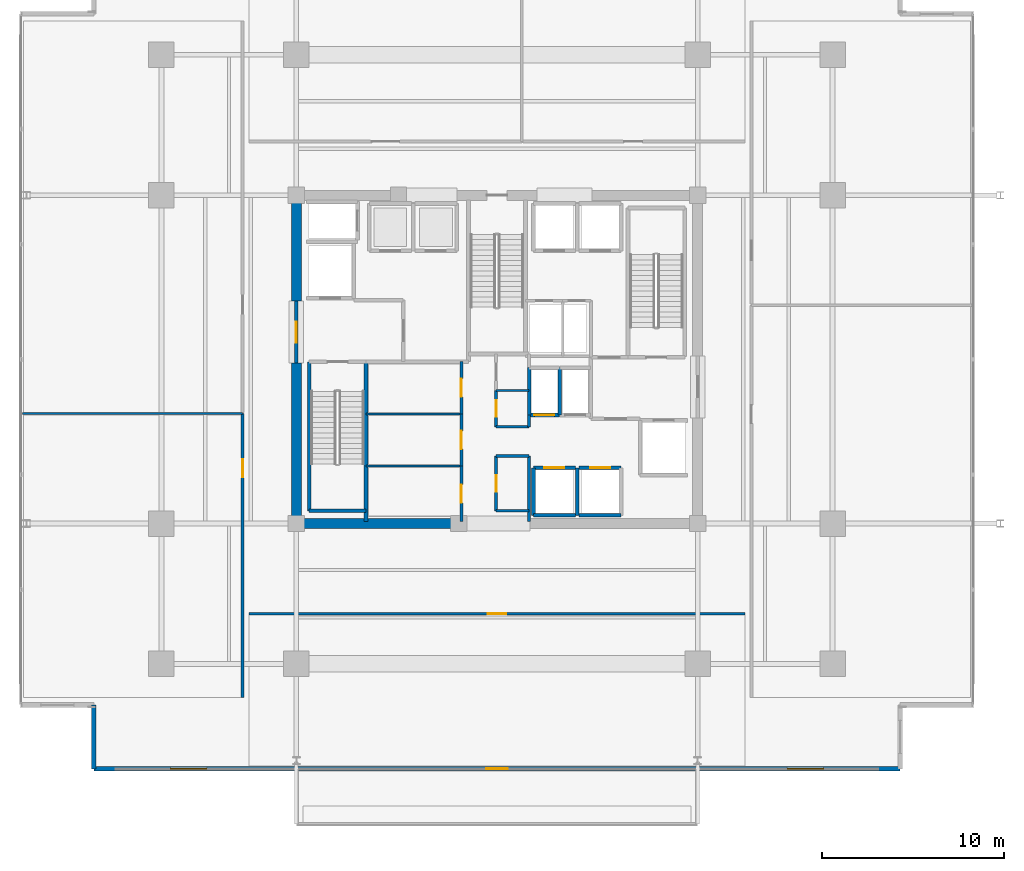
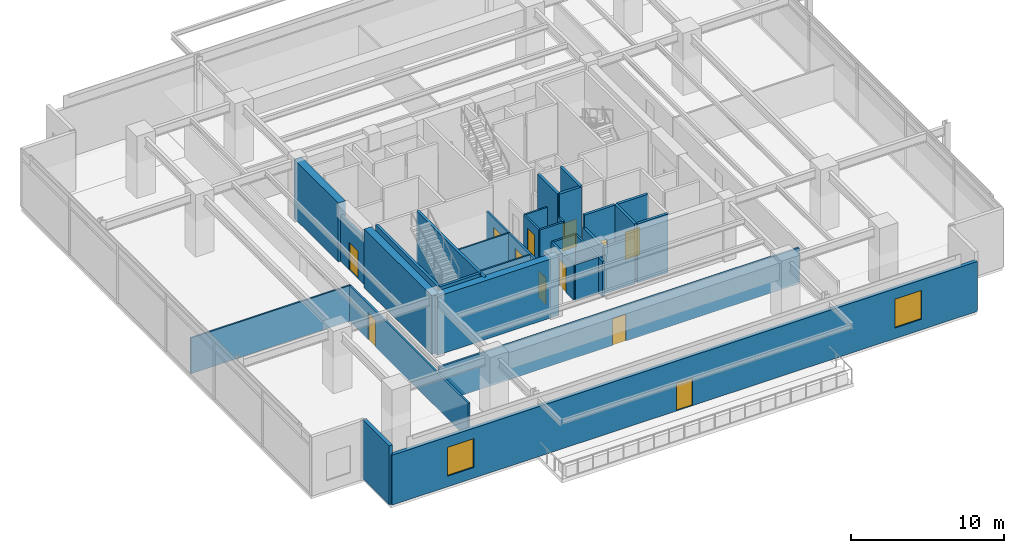
# One storey, part 16 of 25: 34 walls, 12 doors, 2 windows, 14 openings.
"""IFC4 building model written with IfcOpenShell, lengths in metres."""

from ifc_helpers import new_model, si_unit, direction, frame, frame_2d, origin, place, context, subcontext, project, spatial, rectangle, extrude, material, layer, layer_set, type_object, element, fill, save


model = new_model("IFC4")

# Units and contexts
model_context = context("Model", 3, precision=1e-05, world=origin(), true_north=direction((0.0, 1.0)))
body_context = subcontext(model_context, "Body", "Model", "MODEL_VIEW")
ifc_project = project(units=[si_unit("LENGTHUNIT", "METRE"), si_unit("AREAUNIT", "SQUARE_METRE"), si_unit("VOLUMEUNIT", "CUBIC_METRE"), si_unit("PLANEANGLEUNIT", "RADIAN"), si_unit("MASSUNIT", "GRAM", prefix="KILO")], contexts=[model_context])

# Site, building, storey
site_placement = place(None, origin())
site = spatial("IfcSite", under=ifc_project, at=site_placement, CompositionType="ELEMENT")
building_placement = place(site_placement, origin())
building = spatial("IfcBuilding", under=site, at=building_placement, Name="Kovane Verandah Tower", CompositionType="ELEMENT")
storey_placement = place(building_placement, frame((0.0, 0.0, 233.199951171875)))
storey = spatial("IfcBuildingStorey", under=building, at=storey_placement, Name="L54", CompositionType="ELEMENT", Elevation=233.199951171875)

# Walls
ifc_material_1 = material(Name="Fire-Rated Gypsum Stud Partition", Category="gypsum")
ifc_layer_1 = layer(ifc_material_1, 0.14990234375)
ifc_layer_set_1 = layer_set([ifc_layer_1], Name="Fire-Rated Gypsum Stud Partition")
wall_type_1 = type_object("IfcWallType", Name="WL-COR-150", PredefinedType="PARTITIONING", material=ifc_layer_set_1)
for number, where, z_axis, x_axis, name in (
    (1, (39.949951171875, 19.199951171875, 0.0), (0.0, 0.0, 1.0), (1.0, 0.0, 0.0), "L54 Central Core Strip South Wall"),
    (2, (39.949951171875, 22.199951171875, 0.0), (0.0, 0.0, 1.0), (1.0, 0.0, 0.0), "L54 Core Cross-Passage South Wall"),
    (3, (39.949951171875, 23.800048828125, 0.0), (0.0, 0.0, 1.0), (1.0, 0.0, 0.0), "L54 Core Cross-Passage North Wall"),
):
    element("IfcWall", number, at=place(storey_placement, frame(where, z_axis=z_axis, x_axis=x_axis)), inside=storey, type_object=wall_type_1, Name=name, PredefinedType="PARTITIONING", context=body_context, shape_type="SweptSolid", body=[
        extrude(rectangle(XDim=1.81005859375, YDim=0.14990234375, at=frame_2d((0.905029296875, 0.0))), origin(), (0.0, 0.0, 1.0), 2.85009765625),
    ])
wall_1_placement = place(storey_placement, frame((41.760009765625, 18.60009765625, 0.0), z_axis=(0.0, 0.0, 1.0), x_axis=(0.0, 1.0, 0.0)))
element("IfcWall", 4, at=wall_1_placement, inside=storey, type_object=wall_type_1, Name="L54 Central Core Strip Lower East Wall", PredefinedType="PARTITIONING", context=body_context, shape_type="SweptSolid", body=[
    extrude(rectangle(XDim=3.599853515625, YDim=0.14990234375, at=frame_2d((1.7998046875, 0.0))), origin(), (0.0, 0.0, 1.0), 2.85009765625),
])
wall_2_placement = place(storey_placement, frame((41.760009765625, 23.800048828125, 0.0), z_axis=(0.0, 0.0, 1.0), x_axis=(0.0, 1.0, 0.0)))
element("IfcWall", 5, at=wall_2_placement, inside=storey, type_object=wall_type_1, Name="L54 Central Core Strip Middle East Wall", PredefinedType="PARTITIONING", context=body_context, shape_type="SweptSolid", body=[
    extrude(rectangle(XDim=0.64990234375, YDim=0.14990234375, at=frame_2d((0.324951171875, 0.0))), origin(), (0.0, 0.0, 1.0), 2.85009765625),
])

# Wall, opening, door
wall_3_placement = place(storey_placement, frame((39.949951171875, 19.199951171875, 0.0), z_axis=(0.0, 0.0, 1.0), x_axis=(0.0, 1.0, 0.0)))
wall_3 = element("IfcWall", 6, at=wall_3_placement, inside=storey, type_object=wall_type_1, Name="L54 Male Toilet Partition", PredefinedType="PARTITIONING", context=body_context, shape_type="SweptSolid", body=[
    extrude(rectangle(XDim=3.0, YDim=0.14990234375, at=frame_2d((1.5, 0.0))), origin(), (0.0, 0.0, 1.0), 2.85009765625),
])
opening_1_placement = place(wall_3_placement, frame((1.050048828125, 0.0, 0.0)))
opening_1 = element("IfcOpeningElement", 7, at=opening_1_placement, cuts=wall_3, Name="Opening DR-L54-023", PredefinedType="OPENING", context=body_context, shape_type="SweptSolid", body=[
    extrude(rectangle(XDim=0.89990234375, YDim=2.10009765625, at=frame_2d((0.449951171875, 1.050048828125))), frame((0.0, 0.074951171875, 0.0), z_axis=(0.0, -1.0, 0.0), x_axis=(1.0, 0.0, 0.0)), (0.0, 0.0, 1.0), 0.14990234375),
])
ifc_material_2 = material(Name="Moisture-Resistant Laminate Washroom Door", Category="wood")
door_type_1 = type_object("IfcDoorType", Name="DR-WC-900", OperationType="SINGLE_SWING_LEFT", PredefinedType="DOOR", material=ifc_material_2)
door_1_placement = place(opening_1_placement, origin())
door_1 = element("IfcDoor", 8, at=door_1_placement, inside=storey, type_object=door_type_1, Name="L54 Male Toilet Door", OperationType="SINGLE_SWING_RIGHT", OverallHeight=2.10009765625, OverallWidth=0.89990234375, PredefinedType="DOOR", context=body_context, shape_type="SweptSolid", body=[
    extrude(rectangle(XDim=0.89990234375, YDim=2.10009765625, at=frame_2d((0.449951171875, 1.050048828125))), frame((0.0, 0.02490234375, 0.0), z_axis=(0.0, -1.0, 0.0), x_axis=(1.0, 0.0, 0.0)), (0.0, 0.0, 1.0), 0.050048828125),
])
fill(opening_1, door_1)

wall_4_placement = place(storey_placement, frame((39.949951171875, 23.800048828125, 0.0), z_axis=(0.0, 0.0, 1.0), x_axis=(0.0, 1.0, 0.0)))
wall_4 = element("IfcWall", 9, at=wall_4_placement, inside=storey, type_object=wall_type_1, Name="L54 Female Toilet Partition", PredefinedType="PARTITIONING", context=body_context, shape_type="SweptSolid", body=[
    extrude(rectangle(XDim=2.0, YDim=0.14990234375, at=frame_2d((1.0, 0.0))), origin(), (0.0, 0.0, 1.0), 2.85009765625),
])
opening_2_placement = place(wall_4_placement, frame((0.550048828125, 0.0, 0.0)))
opening_2 = element("IfcOpeningElement", 10, at=opening_2_placement, cuts=wall_4, Name="Opening DR-L54-022", PredefinedType="OPENING", context=body_context, shape_type="SweptSolid", body=[
    extrude(rectangle(XDim=0.89990234375, YDim=2.10009765625, at=frame_2d((0.449951171875, 1.050048828125))), frame((0.0, 0.074951171875, 0.0), z_axis=(0.0, -1.0, 0.0), x_axis=(1.0, 0.0, 0.0)), (0.0, 0.0, 1.0), 0.14990234375),
])
door_2_placement = place(opening_2_placement, origin())
door_2 = element("IfcDoor", 11, at=door_2_placement, inside=storey, type_object=door_type_1, Name="L54 Female Toilet Door", OperationType="SINGLE_SWING_LEFT", OverallHeight=2.10009765625, OverallWidth=0.89990234375, PredefinedType="DOOR", context=body_context, shape_type="SweptSolid", body=[
    extrude(rectangle(XDim=0.89990234375, YDim=2.10009765625, at=frame_2d((0.449951171875, 1.050048828125))), frame((0.0, 0.02490234375, 0.0), z_axis=(0.0, -1.0, 0.0), x_axis=(1.0, 0.0, 0.0)), (0.0, 0.0, 1.0), 0.050048828125),
])
fill(opening_2, door_2)

wall_5_placement = place(storey_placement, frame((38.050048828125, 18.60009765625, 0.0), z_axis=(0.0, 0.0, 1.0), x_axis=(0.0, 1.0, 0.0)))
wall_5 = element("IfcWall", 12, at=wall_5_placement, inside=storey, type_object=wall_type_1, Name="L54 Project Archive Room Partition", PredefinedType="PARTITIONING", context=body_context, shape_type="SweptSolid", body=[
    extrude(rectangle(XDim=3.059814453125, YDim=0.14990234375, at=frame_2d((1.52978515625, 0.0))), origin(), (0.0, 0.0, 1.0), 2.85009765625),
])
opening_3_placement = place(wall_5_placement, frame((1.030029296875, 0.0, 0.0)))
opening_3 = element("IfcOpeningElement", 13, at=opening_3_placement, cuts=wall_5, Name="Opening DR-L54-013", PredefinedType="OPENING", context=body_context, shape_type="SweptSolid", body=[
    extrude(rectangle(XDim=1.0, YDim=2.14990234375, at=frame_2d((0.5, 1.074951171875))), frame((0.0, 0.074951171875, 0.0), z_axis=(0.0, -1.0, 0.0), x_axis=(1.0, 0.0, 0.0)), (0.0, 0.0, 1.0), 0.14990234375),
])
ifc_material_3 = material(Name="FSC Spotted-Gum Timber Fire-Rated Office Door", Category="wood")
door_type_2 = type_object("IfcDoorType", Name="DR-OFF-1000", OperationType="SINGLE_SWING_LEFT", PredefinedType="DOOR", material=ifc_material_3)
door_3_placement = place(opening_3_placement, origin())
door_3 = element("IfcDoor", 14, at=door_3_placement, inside=storey, type_object=door_type_2, Name="L54 Project Archive Room Door", OperationType="SINGLE_SWING_LEFT", OverallHeight=2.14990234375, OverallWidth=1.0, PredefinedType="DOOR", context=body_context, shape_type="SweptSolid", body=[
    extrude(rectangle(XDim=1.0, YDim=2.14990234375, at=frame_2d((0.5, 1.074951171875))), frame((0.0, 0.02490234375, 0.0), z_axis=(0.0, -1.0, 0.0), x_axis=(1.0, 0.0, 0.0)), (0.0, 0.0, 1.0), 0.050048828125),
])
fill(opening_3, door_3)

wall_6_placement = place(storey_placement, frame((38.050048828125, 21.659912109375, 0.0), z_axis=(0.0, 0.0, 1.0), x_axis=(0.0, 1.0, 0.0)))
wall_6 = element("IfcWall", 15, at=wall_6_placement, inside=storey, type_object=wall_type_1, Name="L54 First Aid and Wellness Room Partition", PredefinedType="PARTITIONING", context=body_context, shape_type="SweptSolid", body=[
    extrude(rectangle(XDim=2.840087890625, YDim=0.14990234375, at=frame_2d((1.419921875, 0.0))), origin(), (0.0, 0.0, 1.0), 2.85009765625),
])
opening_4_placement = place(wall_6_placement, frame((0.919921875, 0.0, 0.0)))
opening_4 = element("IfcOpeningElement", 16, at=opening_4_placement, cuts=wall_6, Name="Opening DR-L54-014", PredefinedType="OPENING", context=body_context, shape_type="SweptSolid", body=[
    extrude(rectangle(XDim=1.0, YDim=2.14990234375, at=frame_2d((0.5, 1.074951171875))), frame((0.0, 0.074951171875, 0.0), z_axis=(0.0, -1.0, 0.0), x_axis=(1.0, 0.0, 0.0)), (0.0, 0.0, 1.0), 0.14990234375),
])
door_4_placement = place(opening_4_placement, origin())
door_4 = element("IfcDoor", 17, at=door_4_placement, inside=storey, type_object=door_type_2, Name="L54 First Aid and Wellness Room Door", OperationType="SINGLE_SWING_RIGHT", OverallHeight=2.14990234375, OverallWidth=1.0, PredefinedType="DOOR", context=body_context, shape_type="SweptSolid", body=[
    extrude(rectangle(XDim=1.0, YDim=2.14990234375, at=frame_2d((0.5, 1.074951171875))), frame((0.0, 0.02490234375, 0.0), z_axis=(0.0, -1.0, 0.0), x_axis=(1.0, 0.0, 0.0)), (0.0, 0.0, 1.0), 0.050048828125),
])
fill(opening_4, door_4)

wall_7_placement = place(storey_placement, frame((38.050048828125, 24.5, 0.0), z_axis=(0.0, 0.0, 1.0), x_axis=(0.0, 1.0, 0.0)))
wall_7 = element("IfcWall", 18, at=wall_7_placement, inside=storey, type_object=wall_type_1, Name="L54 Tea and Copy Hub Partition", PredefinedType="PARTITIONING", context=body_context, shape_type="SweptSolid", body=[
    extrude(rectangle(XDim=2.8798828125, YDim=0.14990234375, at=frame_2d((1.43994140625, 0.0))), origin(), (0.0, 0.0, 1.0), 2.85009765625),
])
opening_5_placement = place(wall_7_placement, frame((0.93994140625, 0.0, 0.0)))
opening_5 = element("IfcOpeningElement", 19, at=opening_5_placement, cuts=wall_7, Name="Opening DR-L54-015", PredefinedType="OPENING", context=body_context, shape_type="SweptSolid", body=[
    extrude(rectangle(XDim=1.0, YDim=2.14990234375, at=frame_2d((0.5, 1.074951171875))), frame((0.0, 0.074951171875, 0.0), z_axis=(0.0, -1.0, 0.0), x_axis=(1.0, 0.0, 0.0)), (0.0, 0.0, 1.0), 0.14990234375),
])
door_5_placement = place(opening_5_placement, origin())
door_5 = element("IfcDoor", 20, at=door_5_placement, inside=storey, type_object=door_type_2, Name="L54 Tea and Copy Hub Door", OperationType="SINGLE_SWING_LEFT", OverallHeight=2.14990234375, OverallWidth=1.0, PredefinedType="DOOR", context=body_context, shape_type="SweptSolid", body=[
    extrude(rectangle(XDim=1.0, YDim=2.14990234375, at=frame_2d((0.5, 1.074951171875))), frame((0.0, 0.02490234375, 0.0), z_axis=(0.0, -1.0, 0.0), x_axis=(1.0, 0.0, 0.0)), (0.0, 0.0, 1.0), 0.050048828125),
])
fill(opening_5, door_5)

wall_8_placement = place(storey_placement, frame((26.39990234375, 13.550048828125, 0.0), z_axis=(0.0, 0.0, 1.0), x_axis=(1.0, 0.0, 0.0)))
wall_8 = element("IfcWall", 21, at=wall_8_placement, inside=storey, type_object=wall_type_1, Name="L54 Breakout Pantry S1 Corridor Partition", PredefinedType="PARTITIONING", context=body_context, shape_type="SweptSolid", body=[
    extrude(rectangle(XDim=27.2001953125, YDim=0.14990234375, at=frame_2d((13.60009765625, 0.0))), origin(), (0.0, 0.0, 1.0), 2.85009765625),
])
opening_6_placement = place(wall_8_placement, frame((13.10009765625, 0.0, 0.0)))
opening_6 = element("IfcOpeningElement", 22, at=opening_6_placement, cuts=wall_8, Name="Opening DR-L54-020", PredefinedType="OPENING", context=body_context, shape_type="SweptSolid", body=[
    extrude(rectangle(XDim=1.0, YDim=2.14990234375, at=frame_2d((0.5, 1.074951171875))), frame((0.0, 0.074951171875, 0.0), z_axis=(0.0, -1.0, 0.0), x_axis=(1.0, 0.0, 0.0)), (0.0, 0.0, 1.0), 0.14990234375),
])
door_6_placement = place(opening_6_placement, origin())
door_6 = element("IfcDoor", 23, at=door_6_placement, inside=storey, type_object=door_type_2, Name="L54 Breakout Pantry S1 Entrance Door", OperationType="SINGLE_SWING_RIGHT", OverallHeight=2.14990234375, OverallWidth=1.0, PredefinedType="DOOR", context=body_context, shape_type="SweptSolid", body=[
    extrude(rectangle(XDim=1.0, YDim=2.14990234375, at=frame_2d((0.5, 1.074951171875))), frame((0.0, 0.02490234375, 0.0), z_axis=(0.0, -1.0, 0.0), x_axis=(1.0, 0.0, 0.0)), (0.0, 0.0, 1.0), 0.050048828125),
])
fill(opening_6, door_6)

wall_9_placement = place(storey_placement, frame((26.050048828125, 8.950439453125, 0.0), z_axis=(0.0, 0.0, 1.0), x_axis=(0.0, 1.0, 0.0)))
wall_9 = element("IfcWall", 24, at=wall_9_placement, inside=storey, type_object=wall_type_1, Name="L54 Collaboration Hub W1 Corridor Partition", PredefinedType="PARTITIONING", context=body_context, shape_type="SweptSolid", body=[
    extrude(rectangle(XDim=15.58154296875, YDim=0.14990234375, at=frame_2d((7.790771484375, 0.0))), origin(), (0.0, 0.0, 1.0), 2.85009765625),
])
opening_7_placement = place(wall_9_placement, frame((12.080810546875, 0.0, 0.0)))
opening_7 = element("IfcOpeningElement", 25, at=opening_7_placement, cuts=wall_9, Name="Opening DR-L54-024", PredefinedType="OPENING", context=body_context, shape_type="SweptSolid", body=[
    extrude(rectangle(XDim=1.0, YDim=2.14990234375, at=frame_2d((0.5, 1.074951171875))), frame((0.0, 0.074951171875, 0.0), z_axis=(0.0, -1.0, 0.0), x_axis=(1.0, 0.0, 0.0)), (0.0, 0.0, 1.0), 0.14990234375),
])
door_7_placement = place(opening_7_placement, origin())
door_7 = element("IfcDoor", 26, at=door_7_placement, inside=storey, type_object=door_type_2, Name="L54 Collaboration Hub W1 Entrance Door", OperationType="SINGLE_SWING_LEFT", OverallHeight=2.14990234375, OverallWidth=1.0, PredefinedType="DOOR", context=body_context, shape_type="SweptSolid", body=[
    extrude(rectangle(XDim=1.0, YDim=2.14990234375, at=frame_2d((0.5, 1.074951171875))), frame((0.0, 0.02490234375, 0.0), z_axis=(0.0, -1.0, 0.0), x_axis=(1.0, 0.0, 0.0)), (0.0, 0.0, 1.0), 0.050048828125),
])
fill(opening_7, door_7)

# Walls
ifc_material_4 = material(Name="Concrete C60/75", Category="concrete")
ifc_layer_2 = layer(ifc_material_4, 0.550048828125)
ifc_layer_set_2 = layer_set([ifc_layer_2], Name="Concrete C60/75")
wall_type_2 = type_object("IfcWallType", Name="WL-CORE-550", PredefinedType="SHEAR", material=ifc_layer_set_2)
wall_10_placement = place(storey_placement, frame((29.0, 18.5, 0.0), z_axis=(0.0, 0.0, 1.0), x_axis=(1.0, 0.0, 0.0)))
element("IfcWall", 27, at=wall_10_placement, inside=storey, type_object=wall_type_2, Name="L54 Core Shear Wall CS-1", PredefinedType="SHEAR", context=body_context, shape_type="SweptSolid", body=[
    extrude(rectangle(XDim=9.199951171875, YDim=0.550048828125, at=frame_2d((4.60009765625, 0.0))), origin(), (0.0, 0.0, 1.0), 4.699951171875),
])
wall_11_placement = place(storey_placement, frame((29.0, 18.5, 0.0), z_axis=(0.0, 0.0, 1.0), x_axis=(0.0, 1.0, 0.0)))
element("IfcWall", 28, at=wall_11_placement, inside=storey, type_object=wall_type_2, Name="L54 Core Shear Wall CW-1", PredefinedType="SHEAR", context=body_context, shape_type="SweptSolid", body=[
    extrude(rectangle(XDim=8.800048828125, YDim=0.550048828125, at=frame_2d((4.39990234375, 0.0))), origin(), (0.0, 0.0, 1.0), 4.699951171875),
])
wall_12_placement = place(storey_placement, frame((29.0, 30.699951171875, 0.0), z_axis=(0.0, 0.0, 1.0), x_axis=(0.0, 1.0, 0.0)))
element("IfcWall", 29, at=wall_12_placement, inside=storey, type_object=wall_type_2, Name="L54 Core Shear Wall CW-2", PredefinedType="SHEAR", context=body_context, shape_type="SweptSolid", body=[
    extrude(rectangle(XDim=5.800048828125, YDim=0.550048828125, at=frame_2d((2.89990234375, 0.0))), origin(), (0.0, 0.0, 1.0), 4.699951171875),
])

# Wall, opening, door
ifc_material_5 = material(Name="Concrete C45/55 Fire Wall", Category="concrete")
ifc_layer_3 = layer(ifc_material_5, 0.199951171875)
ifc_layer_set_3 = layer_set([ifc_layer_3], Name="Concrete C45/55 Fire Wall")
wall_type_3 = type_object("IfcWallType", Name="WL-FFL-200", PredefinedType="PARTITIONING", material=ifc_layer_set_3)
wall_13_placement = place(storey_placement, frame((29.0, 27.300048828125, 0.0), z_axis=(0.0, 0.0, 1.0), x_axis=(0.0, 1.0, 0.0)))
wall_13 = element("IfcWall", 30, at=wall_13_placement, inside=storey, type_object=wall_type_3, Name="W-L54-FFLW-OUT", PredefinedType="PARTITIONING", context=body_context, shape_type="SweptSolid", body=[
    extrude(rectangle(XDim=3.39990234375, YDim=0.199951171875, at=frame_2d((1.699951171875, 0.0))), origin(), (0.0, 0.0, 1.0), 3.679931640625),
])
opening_8_placement = place(wall_13_placement, frame((1.125, 0.0, 0.0)))
opening_8 = element("IfcOpeningElement", 31, at=opening_8_placement, cuts=wall_13, Name="Opening DR-L54-007", PredefinedType="OPENING", context=body_context, shape_type="SweptSolid", body=[
    extrude(rectangle(XDim=1.14990234375, YDim=2.199951171875, at=frame_2d((0.574951171875, 1.10009765625))), frame((0.0, 0.10009765625, 0.0), z_axis=(0.0, -1.0, 0.0), x_axis=(1.0, 0.0, 0.0)), (0.0, 0.0, 1.0), 0.199951171875),
])
ifc_material_6 = material(Name="Smoke-Sealed Firefighting Lobby Door", Category="steel")
door_type_3 = type_object("IfcDoorType", Name="DR-FFL-1150", OperationType="SINGLE_SWING_LEFT", PredefinedType="DOOR", material=ifc_material_6)
door_8_placement = place(opening_8_placement, origin())
door_8 = element("IfcDoor", 32, at=door_8_placement, inside=storey, type_object=door_type_3, Name="L54 West Firefighting Lobby Corridor Door", OperationType="SINGLE_SWING_RIGHT", OverallHeight=2.199951171875, OverallWidth=1.14990234375, PredefinedType="DOOR", context=body_context, shape_type="SweptSolid", body=[
    extrude(rectangle(XDim=1.14990234375, YDim=2.199951171875, at=frame_2d((0.574951171875, 1.10009765625))), frame((0.0, 0.02490234375, 0.0), z_axis=(0.0, -1.0, 0.0), x_axis=(1.0, 0.0, 0.0)), (0.0, 0.0, 1.0), 0.050048828125),
])
fill(opening_8, door_8)

# Wall
ifc_material_7 = material(Name="Concrete C45/55 Lift Shaft Wall", Category="concrete")
ifc_layer_4 = layer(ifc_material_7, 0.199951171875)
ifc_layer_set_4 = layer_set([ifc_layer_4], Name="Concrete C45/55 Lift Shaft Wall")
wall_type_4 = type_object("IfcWallType", Name="WL-LIFT-200", PredefinedType="SOLIDWALL", material=ifc_layer_set_4)
wall_14_placement = place(storey_placement, frame((42.0, 18.949951171875, 0.0), z_axis=(0.0, 0.0, 1.0), x_axis=(1.0, 0.0, 0.0)))
element("IfcWall", 33, at=wall_14_placement, inside=storey, type_object=wall_type_4, Name="L54 Lift PL-M1 S Shaft Wall", PredefinedType="SOLIDWALL", context=body_context, shape_type="SweptSolid", body=[
    extrude(rectangle(XDim=2.300048828125, YDim=0.199951171875, at=frame_2d((1.14990234375, 0.0))), origin(), (0.0, 0.0, 1.0), 3.679931640625),
])

# Wall, opening, door
wall_15_placement = place(storey_placement, frame((44.300048828125, 21.550048828125, 0.0), z_axis=(0.0, 0.0, 1.0), x_axis=(-1.0, 0.0, 0.0)))
wall_15 = element("IfcWall", 34, at=wall_15_placement, inside=storey, type_object=wall_type_4, Name="L54 Lift PL-M1 N Shaft Wall", PredefinedType="SOLIDWALL", context=body_context, shape_type="SweptSolid", body=[
    extrude(rectangle(XDim=2.300048828125, YDim=0.199951171875, at=frame_2d((1.14990234375, 0.0))), origin(), (0.0, 0.0, 1.0), 4.699951171875),
])
opening_9_placement = place(wall_15_placement, frame((0.60009765625, 0.0, 0.0)))
opening_9 = element("IfcOpeningElement", 35, at=opening_9_placement, cuts=wall_15, Name="Opening LD-L54-007", PredefinedType="OPENING", context=body_context, shape_type="SweptSolid", body=[
    extrude(rectangle(XDim=1.10009765625, YDim=2.199951171875, at=frame_2d((0.550048828125, 1.10009765625))), frame((0.0, 0.10009765625, 0.0), z_axis=(0.0, -1.0, 0.0), x_axis=(1.0, 0.0, 0.0)), (0.0, 0.0, 1.0), 0.199951171875),
])
ifc_material_8 = material(Name="Brushed Stainless Steel Sliding Lift Landing Door", Category="steel")
door_type_4 = type_object("IfcDoorType", Name="DR-LIFT-1100", OperationType="SLIDING_TO_RIGHT", PredefinedType="DOOR", material=ifc_material_8)
door_9_placement = place(opening_9_placement, origin())
door_9 = element("IfcDoor", 36, at=door_9_placement, inside=storey, type_object=door_type_4, Name="L54 Lift PL-M1 Sliding Landing Door", OperationType="SLIDING_TO_RIGHT", OverallHeight=2.199951171875, OverallWidth=1.10009765625, PredefinedType="DOOR", context=body_context, shape_type="SweptSolid", body=[
    extrude(rectangle(XDim=1.10009765625, YDim=2.199951171875, at=frame_2d((0.550048828125, 1.10009765625))), frame((0.0, 0.02490234375, 0.0), z_axis=(0.0, -1.0, 0.0), x_axis=(1.0, 0.0, 0.0)), (0.0, 0.0, 1.0), 0.050048828125),
])
fill(opening_9, door_9)

# Walls
wall_16_placement = place(storey_placement, frame((42.0, 21.550048828125, 0.0), z_axis=(0.0, 0.0, 1.0), x_axis=(0.0, -1.0, 0.0)))
element("IfcWall", 37, at=wall_16_placement, inside=storey, type_object=wall_type_4, Name="L54 Lift PL-M1 W Shaft Wall", PredefinedType="SOLIDWALL", context=body_context, shape_type="SweptSolid", body=[
    extrude(rectangle(XDim=2.60009765625, YDim=0.199951171875, at=frame_2d((1.300048828125, 0.0))), origin(), (0.0, 0.0, 1.0), 3.679931640625),
])
wall_17_placement = place(storey_placement, frame((44.39990234375, 18.949951171875, 0.0), z_axis=(0.0, 0.0, 1.0), x_axis=(0.0, 1.0, 0.0)))
element("IfcWall", 38, at=wall_17_placement, inside=storey, type_object=wall_type_4, Name="L54 Lift PL-M1 and PL-M2 Shared Shaft Wall", PredefinedType="SOLIDWALL", context=body_context, shape_type="SweptSolid", body=[
    extrude(rectangle(XDim=2.60009765625, YDim=0.199951171875, at=frame_2d((1.300048828125, 0.0))), origin(), (0.0, 0.0, 1.0), 4.699951171875),
])
wall_18_placement = place(storey_placement, frame((44.5, 18.949951171875, 0.0), z_axis=(0.0, 0.0, 1.0), x_axis=(1.0, 0.0, 0.0)))
element("IfcWall", 39, at=wall_18_placement, inside=storey, type_object=wall_type_4, Name="L54 Lift PL-M2 S Shaft Wall", PredefinedType="SOLIDWALL", context=body_context, shape_type="SweptSolid", body=[
    extrude(rectangle(XDim=2.300048828125, YDim=0.199951171875, at=frame_2d((1.14990234375, 0.0))), origin(), (0.0, 0.0, 1.0), 4.699951171875),
])

# Wall, opening, door
wall_19_placement = place(storey_placement, frame((46.800048828125, 21.550048828125, 0.0), z_axis=(0.0, 0.0, 1.0), x_axis=(-1.0, 0.0, 0.0)))
wall_19 = element("IfcWall", 40, at=wall_19_placement, inside=storey, type_object=wall_type_4, Name="L54 Lift PL-M2 N Shaft Wall", PredefinedType="SOLIDWALL", context=body_context, shape_type="SweptSolid", body=[
    extrude(rectangle(XDim=2.300048828125, YDim=0.199951171875, at=frame_2d((1.14990234375, 0.0))), origin(), (0.0, 0.0, 1.0), 4.699951171875),
])
opening_10_placement = place(wall_19_placement, frame((0.60009765625, 0.0, 0.0)))
opening_10 = element("IfcOpeningElement", 41, at=opening_10_placement, cuts=wall_19, Name="Opening LD-L54-008", PredefinedType="OPENING", context=body_context, shape_type="SweptSolid", body=[
    extrude(rectangle(XDim=1.10009765625, YDim=2.199951171875, at=frame_2d((0.550048828125, 1.10009765625))), frame((0.0, 0.10009765625, 0.0), z_axis=(0.0, -1.0, 0.0), x_axis=(1.0, 0.0, 0.0)), (0.0, 0.0, 1.0), 0.199951171875),
])
door_10_placement = place(opening_10_placement, origin())
door_10 = element("IfcDoor", 42, at=door_10_placement, inside=storey, type_object=door_type_4, Name="L54 Lift PL-M2 Sliding Landing Door", OperationType="SLIDING_TO_RIGHT", OverallHeight=2.199951171875, OverallWidth=1.10009765625, PredefinedType="DOOR", context=body_context, shape_type="SweptSolid", body=[
    extrude(rectangle(XDim=1.10009765625, YDim=2.199951171875, at=frame_2d((0.550048828125, 1.10009765625))), frame((0.0, 0.02490234375, 0.0), z_axis=(0.0, -1.0, 0.0), x_axis=(1.0, 0.0, 0.0)), (0.0, 0.0, 1.0), 0.050048828125),
])
fill(opening_10, door_10)

wall_20_placement = place(storey_placement, frame((41.760009765625, 24.449951171875, 0.0), z_axis=(0.0, 0.0, 1.0), x_axis=(1.0, 0.0, 0.0)))
wall_20 = element("IfcWall", 43, at=wall_20_placement, inside=storey, type_object=wall_type_4, Name="L54 Lift PL-M3 S Shaft Wall", PredefinedType="SOLIDWALL", context=body_context, shape_type="SweptSolid", body=[
    extrude(rectangle(XDim=1.679931640625, YDim=0.199951171875, at=frame_2d((0.83984375, 0.0))), origin(), (0.0, 0.0, 1.0), 4.699951171875),
])
opening_11_placement = place(wall_20_placement, frame((0.2900390625, 0.0, 0.0)))
opening_11 = element("IfcOpeningElement", 44, at=opening_11_placement, cuts=wall_20, Name="Opening LD-L54-009", PredefinedType="OPENING", context=body_context, shape_type="SweptSolid", body=[
    extrude(rectangle(XDim=1.10009765625, YDim=2.199951171875, at=frame_2d((0.550048828125, 1.10009765625))), frame((0.0, 0.10009765625, 0.0), z_axis=(0.0, -1.0, 0.0), x_axis=(1.0, 0.0, 0.0)), (0.0, 0.0, 1.0), 0.199951171875),
])
door_11_placement = place(opening_11_placement, origin())
door_11 = element("IfcDoor", 45, at=door_11_placement, inside=storey, type_object=door_type_4, Name="L54 Lift PL-M3 Sliding Landing Door", OperationType="SLIDING_TO_RIGHT", OverallHeight=2.199951171875, OverallWidth=1.10009765625, PredefinedType="DOOR", context=body_context, shape_type="SweptSolid", body=[
    extrude(rectangle(XDim=1.10009765625, YDim=2.199951171875, at=frame_2d((0.550048828125, 1.10009765625))), frame((0.0, 0.02490234375, 0.0), z_axis=(0.0, -1.0, 0.0), x_axis=(1.0, 0.0, 0.0)), (0.0, 0.0, 1.0), 0.050048828125),
])
fill(opening_11, door_11)

# Walls
for number, where, z_axis, x_axis, name in (
    (46, (41.760009765625, 27.050048828125, 0.0), (0.0, 0.0, 1.0), (0.0, -1.0, 0.0), "L54 Lift PL-M3 W Shaft Wall"),
    (47, (43.449951171875, 24.449951171875, 0.0), (0.0, 0.0, 1.0), (0.0, 1.0, 0.0), "L54 Lift PL-M3 and PL-M4 Shared Shaft Wall"),
):
    element("IfcWall", number, at=place(storey_placement, frame(where, z_axis=z_axis, x_axis=x_axis)), inside=storey, type_object=wall_type_4, Name=name, PredefinedType="SOLIDWALL", context=body_context, shape_type="SweptSolid", body=[
        extrude(rectangle(XDim=2.60009765625, YDim=0.199951171875, at=frame_2d((1.300048828125, 0.0))), origin(), (0.0, 0.0, 1.0), 4.699951171875),
    ])
ifc_material_9 = material(Name="Acoustic Fire-Rated Gypsum Partition", Category="gypsum")
ifc_layer_5 = layer(ifc_material_9, 0.1201171875)
ifc_layer_set_5 = layer_set([ifc_layer_5], Name="Acoustic Fire-Rated Gypsum Partition")
wall_type_5 = type_object("IfcWallType", Name="WL-PART-120", PredefinedType="PARTITIONING", material=ifc_layer_set_5)
wall_21_placement = place(storey_placement, frame((39.949951171875, 25.800048828125, 0.0), z_axis=(0.0, 0.0, 1.0), x_axis=(1.0, 0.0, 0.0)))
element("IfcWall", 48, at=wall_21_placement, inside=storey, type_object=wall_type_5, Name="L54 Central Core Strip Upper Dividing Partition", PredefinedType="PARTITIONING", context=body_context, shape_type="SweptSolid", body=[
    extrude(rectangle(XDim=1.81005859375, YDim=0.1201171875, at=frame_2d((0.905029296875, 0.0))), origin(), (0.0, 0.0, 1.0), 2.85009765625),
])
for number, where, z_axis, x_axis, name in (
    (49, (32.820068359375, 21.659912109375, 0.0), (0.0, 0.0, 1.0), (1.0, 0.0, 0.0), "L54 Core Support Lower Dividing Partition"),
    (50, (32.820068359375, 24.5, 0.0), (0.0, 0.0, 1.0), (1.0, 0.0, 0.0), "L54 Core Support Upper Dividing Partition"),
):
    element("IfcWall", number, at=place(storey_placement, frame(where, z_axis=z_axis, x_axis=x_axis)), inside=storey, type_object=wall_type_5, Name=name, PredefinedType="PARTITIONING", context=body_context, shape_type="SweptSolid", body=[
        extrude(rectangle(XDim=5.22998046875, YDim=0.1201171875, at=frame_2d((2.614990234375, 0.0))), origin(), (0.0, 0.0, 1.0), 2.85009765625),
    ])
wall_22_placement = place(storey_placement, frame((13.992919921875, 24.531982421875, 0.0), z_axis=(0.0, 0.0, 1.0), x_axis=(1.0, 0.0, 0.0)))
element("IfcWall", 51, at=wall_22_placement, inside=storey, type_object=wall_type_5, Name="L54 Collaboration Hub W1 Dividing Partition", PredefinedType="PARTITIONING", context=body_context, shape_type="SweptSolid", body=[
    extrude(rectangle(XDim=12.05712890625, YDim=0.1201171875, at=frame_2d((6.028564453125, 0.0))), origin(), (0.0, 0.0, 1.0), 2.85009765625),
])
ifc_material_10 = material(Name="Concrete C45/55", Category="concrete")
ifc_layer_6 = layer(ifc_material_10, 0.199951171875)
ifc_layer_set_6 = layer_set([ifc_layer_6], Name="Concrete C45/55")
wall_type_6 = type_object("IfcWallType", Name="WL-SHAFT-200", PredefinedType="SOLIDWALL", material=ifc_layer_set_6)
wall_23_placement = place(storey_placement, frame((29.699951171875, 19.199951171875, 0.0), z_axis=(0.0, 0.0, 1.0), x_axis=(0.0, 1.0, 0.0)))
element("IfcWall", 52, at=wall_23_placement, inside=storey, type_object=wall_type_6, Name="W-L54-ST01-W", PredefinedType="SOLIDWALL", context=body_context, shape_type="SweptSolid", body=[
    extrude(rectangle(XDim=8.150146484375, YDim=0.199951171875, at=frame_2d((4.0751953125, 0.0))), origin(), (0.0, 0.0, 1.0), 4.699951171875),
])
wall_24_placement = place(storey_placement, frame((29.699951171875, 19.199951171875, 0.0), z_axis=(0.0, 0.0, 1.0), x_axis=(1.0, 0.0, 0.0)))
element("IfcWall", 53, at=wall_24_placement, inside=storey, type_object=wall_type_6, Name="W-L54-ST01-S", PredefinedType="SOLIDWALL", context=body_context, shape_type="SweptSolid", body=[
    extrude(rectangle(XDim=3.1201171875, YDim=0.199951171875, at=frame_2d((1.56005859375, 0.0))), origin(), (0.0, 0.0, 1.0), 4.699951171875),
])
wall_25_placement = place(storey_placement, frame((32.820068359375, 18.60009765625, 0.0), z_axis=(0.0, 0.0, 1.0), x_axis=(0.0, 1.0, 0.0)))
element("IfcWall", 54, at=wall_25_placement, inside=storey, type_object=wall_type_6, Name="W-L54-ST01-E", PredefinedType="SOLIDWALL", context=body_context, shape_type="SweptSolid", body=[
    extrude(rectangle(XDim=8.77978515625, YDim=0.199951171875, at=frame_2d((4.389892578125, 0.0))), origin(), (0.0, 0.0, 1.0), 4.699951171875),
])

# Wall, openings, door, windows
ifc_material_11 = material(Name="Concrete C45/55 Insulated Spandrel Wall", Category="concrete")
ifc_layer_7 = layer(ifc_material_11, 0.260009765625)
ifc_layer_set_7 = layer_set([ifc_layer_7], Name="Concrete C45/55 Insulated Spandrel Wall")
wall_type_7 = type_object("IfcWallType", Name="WL-SPANDREL-260", PredefinedType="PARAPET", material=ifc_layer_set_7)
wall_26_placement = place(storey_placement, frame((17.892822265625, 5.05029296875, 0.0), z_axis=(0.0, 0.0, 1.0), x_axis=(1.0, 0.0, 0.0)))
wall_26 = element("IfcWall", 55, at=wall_26_placement, inside=storey, type_object=wall_type_7, Name="L54 S Verandah Access Facade Wall", PredefinedType="PARAPET", context=body_context, shape_type="SweptSolid", body=[
    extrude(rectangle(XDim=44.21435546875, YDim=0.260009765625, at=frame_2d((22.107177734375, 0.0))), origin(), (0.0, 0.0, 1.0), 3.987060546875),
])
opening_12_placement = place(wall_26_placement, frame((4.199951171875, 0.0, 0.85009765625)))
opening_12 = element("IfcOpeningElement", 56, at=opening_12_placement, cuts=wall_26, Name="Opening W-04", PredefinedType="OPENING", context=body_context, shape_type="SweptSolid", body=[
    extrude(rectangle(XDim=2.0, YDim=2.300048828125, at=frame_2d((1.0, 1.14990234375))), frame((0.0, 0.1298828125, 0.0), z_axis=(0.0, -1.0, 0.0), x_axis=(1.0, 0.0, 0.0)), (0.0, 0.0, 1.0), 0.260009765625),
])
opening_13_placement = place(wall_26_placement, frame((21.507080078125, 0.0, 0.0)))
opening_13 = element("IfcOpeningElement", 57, at=opening_13_placement, cuts=wall_26, Name="Opening DR-L54-002", PredefinedType="OPENING", context=body_context, shape_type="SweptSolid", body=[
    extrude(rectangle(XDim=1.199951171875, YDim=2.199951171875, at=frame_2d((0.60009765625, 1.10009765625))), frame((0.0, 0.1298828125, 0.0), z_axis=(0.0, -1.0, 0.0), x_axis=(1.0, 0.0, 0.0)), (0.0, 0.0, 1.0), 0.260009765625),
])
opening_14_placement = place(wall_26_placement, frame((38.014404296875, 0.0, 0.85009765625)))
opening_14 = element("IfcOpeningElement", 58, at=opening_14_placement, cuts=wall_26, Name="Opening W-04", PredefinedType="OPENING", context=body_context, shape_type="SweptSolid", body=[
    extrude(rectangle(XDim=2.0, YDim=2.300048828125, at=frame_2d((1.0, 1.14990234375))), frame((0.0, 0.1298828125, 0.0), z_axis=(0.0, -1.0, 0.0), x_axis=(1.0, 0.0, 0.0)), (0.0, 0.0, 1.0), 0.260009765625),
])
ifc_material_12 = material(Name="Cyclone-Rated Glazed Balcony Leaf Door", Category="aluminium")
door_type_5 = type_object("IfcDoorType", Name="DR-BAL-1200x2200", OperationType="SINGLE_SWING_LEFT", PredefinedType="DOOR", material=ifc_material_12)
door_12_placement = place(opening_13_placement, origin())
door_12 = element("IfcDoor", 59, at=door_12_placement, inside=storey, type_object=door_type_5, Name="L54 S Planted Balcony Access Door", OperationType="SINGLE_SWING_LEFT", OverallHeight=2.199951171875, OverallWidth=1.199951171875, PredefinedType="DOOR", context=body_context, shape_type="SweptSolid", body=[
    extrude(rectangle(XDim=1.199951171875, YDim=2.199951171875, at=frame_2d((0.60009765625, 1.10009765625))), frame((0.0, 0.02490234375, 0.0), z_axis=(0.0, -1.0, 0.0), x_axis=(1.0, 0.0, 0.0)), (0.0, 0.0, 1.0), 0.050048828125),
])
fill(opening_13, door_12)
ifc_material_13 = material(Name="Clear Low-E Laminated Double Glazing in Anodised Frame", Category="glass")
window_type = type_object("IfcWindowType", Name="WN-FIXED-2000x2300", PartitioningType="SINGLE_PANEL", PredefinedType="WINDOW", material=ifc_material_13)
window_1_placement = place(opening_12_placement, origin())
window_1 = element("IfcWindow", 60, at=window_1_placement, inside=storey, type_object=window_type, Name="L54 S Verandah View Window 1", OverallHeight=2.300048828125, OverallWidth=2.0, PartitioningType="SINGLE_PANEL", PredefinedType="WINDOW", context=body_context, shape_type="SweptSolid", body=[
    extrude(rectangle(XDim=2.0, YDim=2.300048828125, at=frame_2d((1.0, 1.14990234375))), frame((0.0, 0.030029296875, 0.0), z_axis=(0.0, -1.0, 0.0), x_axis=(1.0, 0.0, 0.0)), (0.0, 0.0, 1.0), 0.06005859375),
])
fill(opening_12, window_1)
window_2_placement = place(opening_14_placement, origin())
window_2 = element("IfcWindow", 61, at=window_2_placement, inside=storey, type_object=window_type, Name="L54 S Verandah View Window 2", OverallHeight=2.300048828125, OverallWidth=2.0, PartitioningType="SINGLE_PANEL", PredefinedType="WINDOW", context=body_context, shape_type="SweptSolid", body=[
    extrude(rectangle(XDim=2.0, YDim=2.300048828125, at=frame_2d((1.0, 1.14990234375))), frame((0.0, 0.030029296875, 0.0), z_axis=(0.0, -1.0, 0.0), x_axis=(1.0, 0.0, 0.0)), (0.0, 0.0, 1.0), 0.06005859375),
])
fill(opening_14, window_2)

# Wall
wall_27_placement = place(storey_placement, frame((17.892822265625, 8.55029296875, 0.0), z_axis=(0.0, 0.0, 1.0), x_axis=(0.0, -1.0, 0.0)))
element("IfcWall", 62, at=wall_27_placement, inside=storey, type_object=wall_type_7, Name="L54 SW Notch Cheek Wall 2", PredefinedType="PARAPET", context=body_context, shape_type="SweptSolid", body=[
    extrude(rectangle(XDim=3.5, YDim=0.260009765625, at=frame_2d((1.75, 0.0))), origin(), (0.0, 0.0, 1.0), 4.699951171875),
])

save(model, "model.ifc")
